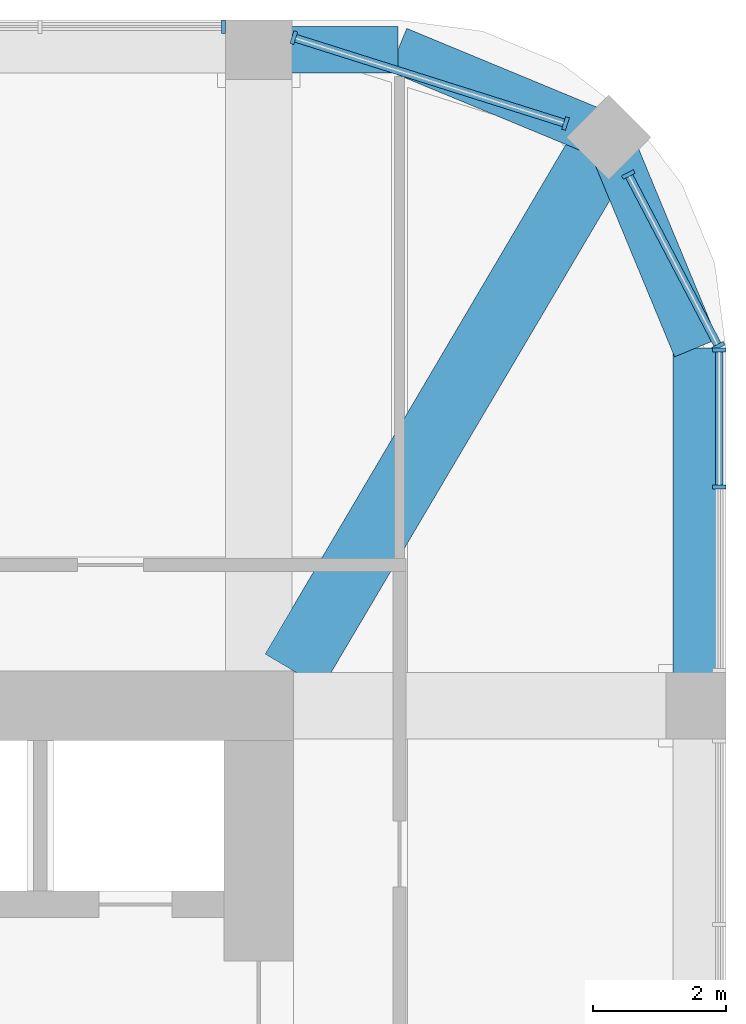
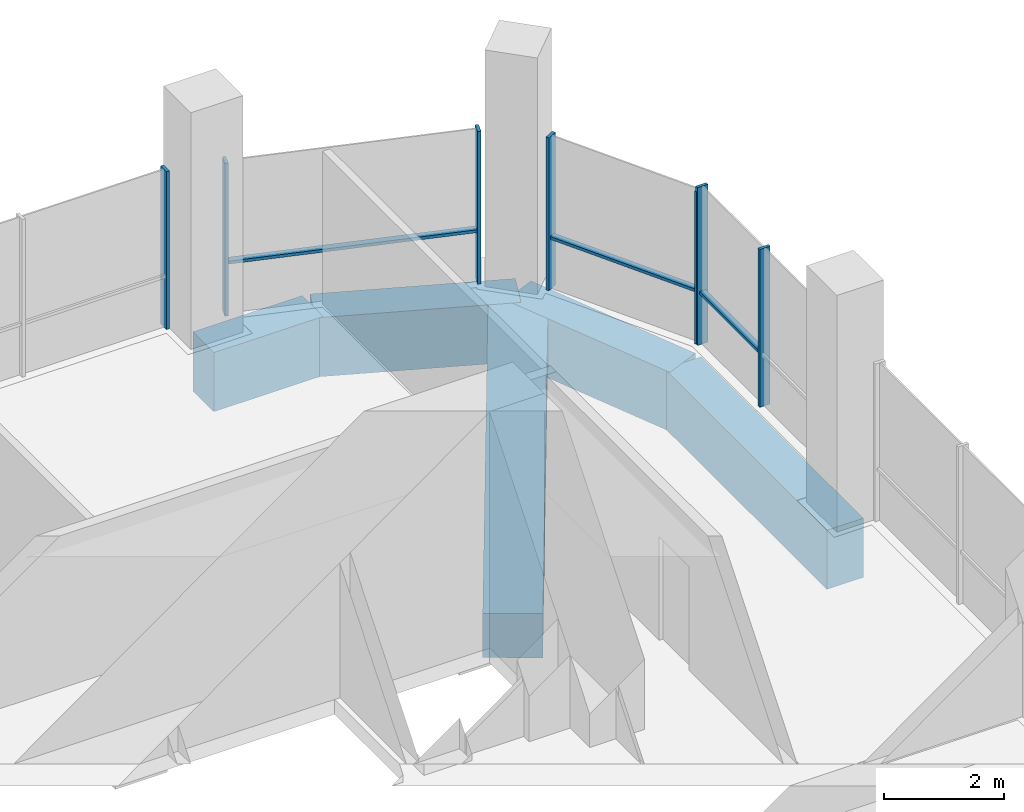
# One storey, part 6 of 13: 10 members, 5 beams, 4 elements without a shape of their own.
"""IFC4 building model written with IfcOpenShell, lengths in metres."""

from ifc_helpers import new_model, si_unit, direction, frame, origin, origin_2d, place, context, subcontext, project, spatial, rectangle, extrude, material, material_profile, profile_set, type_object, element, aggregate, save


model = new_model("IFC4")

# Units and contexts
model_context = context("Model", 3, precision=1e-05, world=origin(), true_north=direction((0.0, 1.0)))
body_context = subcontext(model_context, "Body", "Model", "MODEL_VIEW")
ifc_project = project(units=[si_unit("LENGTHUNIT", "METRE"), si_unit("AREAUNIT", "SQUARE_METRE"), si_unit("VOLUMEUNIT", "CUBIC_METRE"), si_unit("PLANEANGLEUNIT", "RADIAN"), si_unit("MASSUNIT", "GRAM", prefix="KILO")], contexts=[model_context])

# Site, building, storey
site_placement = place(None, origin())
site = spatial("IfcSite", under=ifc_project, at=site_placement, CompositionType="ELEMENT")
building_placement = place(site_placement, origin())
building = spatial("IfcBuilding", under=site, at=building_placement, Name="Cobogo Forest Laboratory Tower", CompositionType="ELEMENT")
storey_placement = place(building_placement, frame((0.0, 0.0, 288.0)))
storey = spatial("IfcBuildingStorey", under=building, at=storey_placement, Name="L66", CompositionType="ELEMENT", Elevation=288.0)

# Curtain wall, members
ifc_material_1 = material(Name="Aluminium curtain wall", Category="aluminium")
curtain_wall_type = type_object("IfcCurtainWallType", Name="CW-C stick curtain wall, crown glazing, conference floor and roof pavilion", PredefinedType="USERDEFINED", material=ifc_material_1)
curtain_wall_1_placement = place(storey_placement, origin())
curtain_wall_1 = element("IfcCurtainWall", 1, at=curtain_wall_1_placement, inside=storey, type_object=curtain_wall_type, Name="Curtain wall 11 L66", ObjectType="STICK CURTAIN WALL", PredefinedType="USERDEFINED")
ifc_material_2 = material(Name="Aluminium mullion", Category="aluminium")
ifc_material_profile_1 = material_profile(ifc_material_2, rectangle(XDim=0.06005859375, YDim=0.199951171875, at=origin_2d()), Name="AL 60x200")
ifc_profile_set_1 = profile_set([ifc_material_profile_1], Name="Aluminium mullion")
member_type_1 = type_object("IfcMemberType", Name="MU-2 aluminium mullion 60x200", PredefinedType="MULLION", material=ifc_profile_set_1)
member_1_placement = place(storey_placement, frame((46.550048828125, 36.300048828125, 0.0), z_axis=(0.0, 0.0, 1.0), x_axis=(0.0, 1.0, 0.0)))
member_1 = element("IfcMember", 2, at=member_1_placement, type_object=member_type_1, Name="CW-C mullion 2", PredefinedType="MULLION", context=body_context, shape_type="SweptSolid", body=[
    extrude(rectangle(XDim=0.06005859375, YDim=0.199951171875, at=origin_2d()), origin(), (0.0, 0.0, 1.0), 3.199951171875),
])
member_2_placement = place(storey_placement, frame((46.550048828125, 38.3701171875, 0.0), z_axis=(0.0, 0.0, 1.0), x_axis=(0.0, 1.0, 0.0)))
member_2 = element("IfcMember", 3, at=member_2_placement, type_object=member_type_1, Name="CW-C mullion 3", PredefinedType="MULLION", context=body_context, shape_type="SweptSolid", body=[
    extrude(rectangle(XDim=0.06005859375, YDim=0.199951171875, at=origin_2d()), origin(), (0.0, 0.0, 1.0), 3.199951171875),
])

curtain_wall_2_placement = place(storey_placement, origin())
curtain_wall_2 = element("IfcCurtainWall", 4, at=curtain_wall_2_placement, inside=storey, type_object=curtain_wall_type, Name="Curtain wall 12 L66", ObjectType="STICK CURTAIN WALL", PredefinedType="USERDEFINED")
member_3_placement = place(storey_placement, frame((46.5361328125, 38.426513671875, 0.0), z_axis=(0.0, 0.0, 1.0), x_axis=(-0.464283778337, 0.885686498245, 0.0)))
member_3 = element("IfcMember", 5, at=member_3_placement, type_object=member_type_1, Name="CW-C mullion 1", PredefinedType="MULLION", context=body_context, shape_type="SweptSolid", body=[
    extrude(rectangle(XDim=0.06005859375, YDim=0.199951171875, at=origin_2d()), origin(), (0.0, 0.0, 1.0), 3.10009765625),
])
member_4_placement = place(storey_placement, frame((45.177978515625, 41.017333984375, 0.0), z_axis=(0.0, 0.0, 1.0), x_axis=(-0.464283778337, 0.885686498245, 0.0)))
member_4 = element("IfcMember", 6, at=member_4_placement, type_object=member_type_1, Name="CW-C mullion 2", PredefinedType="MULLION", context=body_context, shape_type="SweptSolid", body=[
    extrude(rectangle(XDim=0.06005859375, YDim=0.199951171875, at=origin_2d()), origin(), (0.0, 0.0, 1.0), 3.10009765625),
])

curtain_wall_3_placement = place(storey_placement, origin())
curtain_wall_3 = element("IfcCurtainWall", 7, at=curtain_wall_3_placement, inside=storey, type_object=curtain_wall_type, Name="Curtain wall 13 L66", ObjectType="STICK CURTAIN WALL", PredefinedType="USERDEFINED")
member_5_placement = place(storey_placement, frame((44.22998046875, 41.787841796875, 0.0), z_axis=(0.0, 0.0, 1.0), x_axis=(-0.953581379409, 0.301135439371, 0.0)))
member_5 = element("IfcMember", 8, at=member_5_placement, type_object=member_type_1, Name="CW-C mullion 1", PredefinedType="MULLION", context=body_context, shape_type="SweptSolid", body=[
    extrude(rectangle(XDim=0.06005859375, YDim=0.199951171875, at=origin_2d()), origin(), (0.0, 0.0, 1.0), 3.10009765625),
])
member_6_placement = place(storey_placement, frame((40.128662109375, 43.0830078125, 0.0), z_axis=(0.0, 0.0, 1.0), x_axis=(-0.953581379409, 0.301135439371, 0.0)))
member_6 = element("IfcMember", 9, at=member_6_placement, type_object=member_type_1, Name="CW-C mullion 2", PredefinedType="MULLION", context=body_context, shape_type="SweptSolid", body=[
    extrude(rectangle(XDim=0.06005859375, YDim=0.199951171875, at=origin_2d()), origin(), (0.0, 0.0, 1.0), 3.10009765625),
])

# Curtain wall, member
curtain_wall_4_placement = place(storey_placement, origin())
curtain_wall_4 = element("IfcCurtainWall", 10, at=curtain_wall_4_placement, inside=storey, type_object=curtain_wall_type, Name="Curtain wall 14 L66", ObjectType="STICK CURTAIN WALL", PredefinedType="USERDEFINED")
member_7_placement = place(storey_placement, frame((39.070068359375, 43.25, 0.0), z_axis=(0.0, 0.0, 1.0), x_axis=(-1.0, 0.0, 0.0)))
member_7 = element("IfcMember", 11, at=member_7_placement, type_object=member_type_1, Name="CW-C mullion 1", PredefinedType="MULLION", context=body_context, shape_type="SweptSolid", body=[
    extrude(rectangle(XDim=0.06005859375, YDim=0.199951171875, at=origin_2d()), origin(), (0.0, 0.0, 1.0), 3.199951171875),
])
aggregate(curtain_wall_4, [member_7])

# Beams
ifc_material_3 = material(Name="Concrete HA-40 (C40/50)", Category="concrete")
ifc_material_profile_2 = material_profile(ifc_material_3, rectangle(XDim=1.0, YDim=0.89990234375, at=origin_2d()), Name="RC 1000x900")
ifc_profile_set_2 = profile_set([ifc_material_profile_2], Name="Concrete HA-40 (C40/50)")
beam_type_1 = type_object("IfcBeamType", Name="Office floor wide beam 1000x900", PredefinedType="BEAM", material=ifc_profile_set_2)
beam_1_placement = place(storey_placement, frame((44.882080078125, 41.58203125, -0.75), z_axis=(-0.508416325908, -0.861111397875, 0.0), x_axis=(0.861111397875, -0.508416325908, 0.0)))
element("IfcBeam", 12, at=beam_1_placement, inside=storey, type_object=beam_type_1, Name="RB2 G-NE-D1 L66", PredefinedType="BEAM", context=body_context, shape_type="SweptSolid", body=[
    extrude(rectangle(XDim=1.0, YDim=0.89990234375, at=origin_2d()), origin(), (0.0, 0.0, 1.0), 9.356689453125),
])
ifc_material_profile_3 = material_profile(ifc_material_3, rectangle(XDim=0.699951171875, YDim=1.199951171875, at=origin_2d()), Name="RC 700x1200")
ifc_profile_set_3 = profile_set([ifc_material_profile_3], Name="Concrete HA-40 (C40/50)")
beam_type_2 = type_object("IfcBeamType", Name="Perimeter edge beam 700x1200", PredefinedType="BEAM", material=ifc_profile_set_3)
beam_2_placement = place(storey_placement, frame((46.199951171875, 33.0, -0.89990234375), z_axis=(0.0, 1.0, 0.0), x_axis=(-1.0, 0.0, 0.0)))
element("IfcBeam", 13, at=beam_2_placement, inside=storey, type_object=beam_type_2, Name="EB1 E-NEE1 L66", PredefinedType="BEAM", context=body_context, shape_type="SweptSolid", body=[
    extrude(rectangle(XDim=0.699951171875, YDim=1.199951171875, at=origin_2d()), origin(), (0.0, 0.0, 1.0), 5.39990234375),
])
beam_3_placement = place(storey_placement, frame((46.199951171875, 38.39990234375, -0.89990234375), z_axis=(-0.382631424892, 0.923901072997, 0.0), x_axis=(-0.923901072997, -0.382631424892, 0.0)))
element("IfcBeam", 14, at=beam_3_placement, inside=storey, type_object=beam_type_2, Name="EB1 E-NEE2 L66", PredefinedType="BEAM", context=body_context, shape_type="SweptSolid", body=[
    extrude(rectangle(XDim=0.699951171875, YDim=1.199951171875, at=origin_2d()), origin(), (0.0, 0.0, 1.0), 3.4443359375),
])
beam_4_placement = place(storey_placement, frame((39.60009765625, 42.89990234375, -0.89990234375), z_axis=(1.0, 0.0, 0.0), x_axis=(0.0, 1.0, 0.0)))
element("IfcBeam", 15, at=beam_4_placement, inside=storey, type_object=beam_type_2, Name="EB1 E-NEN1 L66", PredefinedType="BEAM", context=body_context, shape_type="SweptSolid", body=[
    extrude(rectangle(XDim=0.699951171875, YDim=1.199951171875, at=origin_2d()), origin(), (0.0, 0.0, 1.0), 2.099853515625),
])
beam_5_placement = place(storey_placement, frame((41.699951171875, 42.89990234375, -0.89990234375), z_axis=(0.923901072997, -0.382631424892, 0.0), x_axis=(0.382631424892, 0.923901072997, 0.0)))
element("IfcBeam", 16, at=beam_5_placement, inside=storey, type_object=beam_type_2, Name="EB1 E-NEN2 L66", PredefinedType="BEAM", context=body_context, shape_type="SweptSolid", body=[
    extrude(rectangle(XDim=0.699951171875, YDim=1.199951171875, at=origin_2d()), origin(), (0.0, 0.0, 1.0), 3.4443359375),
])

# Member
ifc_material_4 = material(Name="Aluminium transom", Category="aluminium")
ifc_material_profile_4 = material_profile(ifc_material_4, rectangle(XDim=0.1201171875, YDim=0.06005859375, at=origin_2d()), Name="AL 60x120")
ifc_profile_set_4 = profile_set([ifc_material_profile_4], Name="Aluminium transom")
member_type_2 = type_object("IfcMemberType", Name="TR-1 aluminium transom 60x120", PredefinedType="USERDEFINED", material=ifc_profile_set_4)
member_8_placement = place(storey_placement, frame((46.550048828125, 36.330078125, 1.050048828125), z_axis=(0.0, 1.0, 0.0), x_axis=(-1.0, 0.0, 0.0)))
member_8 = element("IfcMember", 17, at=member_8_placement, type_object=member_type_2, Name="CW-C transom 2.1", ObjectType="TRANSOM", PredefinedType="USERDEFINED", context=body_context, shape_type="SweptSolid", body=[
    extrude(rectangle(XDim=0.1201171875, YDim=0.06005859375, at=origin_2d()), origin(), (0.0, 0.0, 1.0), 2.010009765625),
])

aggregate(curtain_wall_1, [member_1, member_2, member_8])

member_9_placement = place(storey_placement, frame((46.522216796875, 38.453125, 1.050048828125), z_axis=(-0.46430944806, 0.885673041501, 0.0), x_axis=(-0.885673041501, -0.46430944806, 0.0)))
member_9 = element("IfcMember", 18, at=member_9_placement, type_object=member_type_2, Name="CW-C transom 1.1", ObjectType="TRANSOM", PredefinedType="USERDEFINED", context=body_context, shape_type="SweptSolid", body=[
    extrude(rectangle(XDim=0.1201171875, YDim=0.06005859375, at=origin_2d()), origin(), (0.0, 0.0, 1.0), 2.865234375),
])

aggregate(curtain_wall_2, [member_3, member_4, member_9])

member_10_placement = place(storey_placement, frame((44.201416015625, 41.796875, 1.050048828125), z_axis=(-0.953583535148, 0.30112861288, 0.0), x_axis=(-0.30112861288, -0.953583535148, 0.0)))
member_10 = element("IfcMember", 19, at=member_10_placement, type_object=member_type_2, Name="CW-C transom 1.1", ObjectType="TRANSOM", PredefinedType="USERDEFINED", context=body_context, shape_type="SweptSolid", body=[
    extrude(rectangle(XDim=0.1201171875, YDim=0.06005859375, at=origin_2d()), origin(), (0.0, 0.0, 1.0), 4.240966796875),
])

aggregate(curtain_wall_3, [member_5, member_6, member_10])

save(model, "model.ifc")
